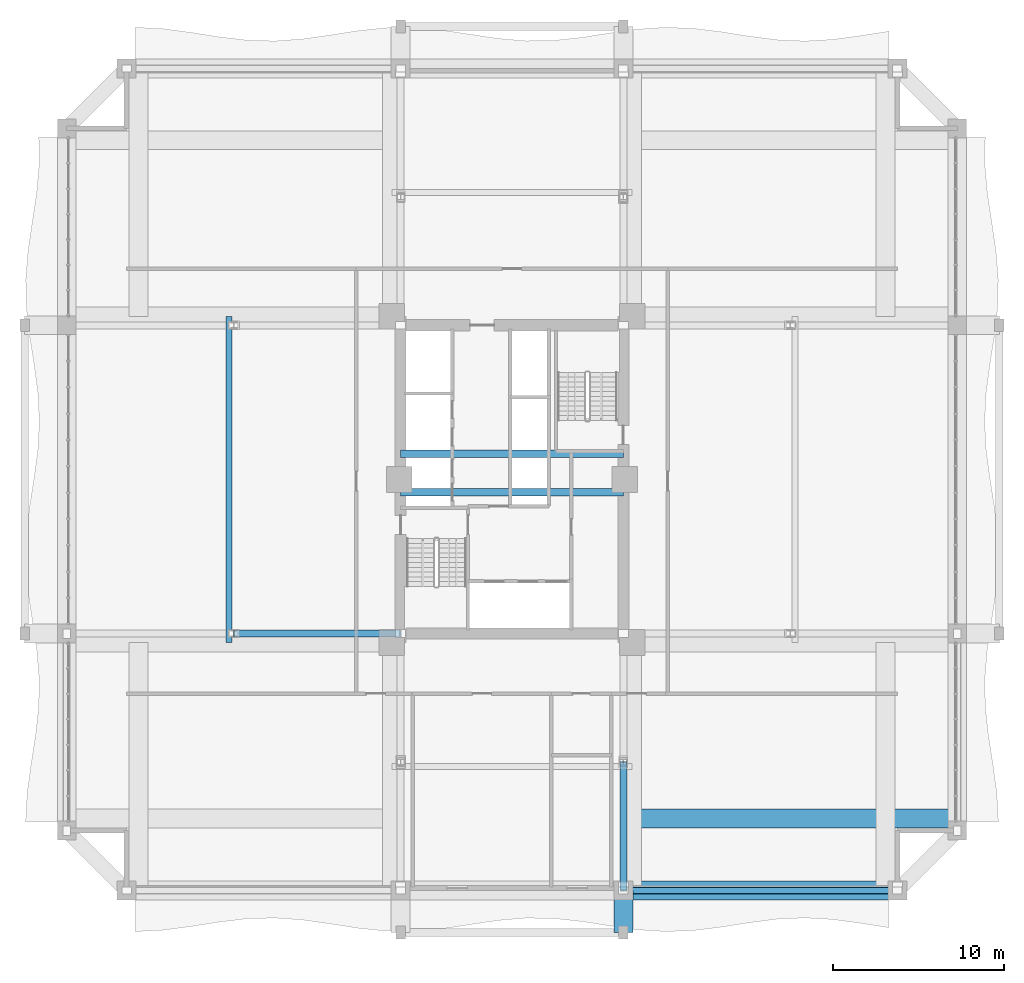
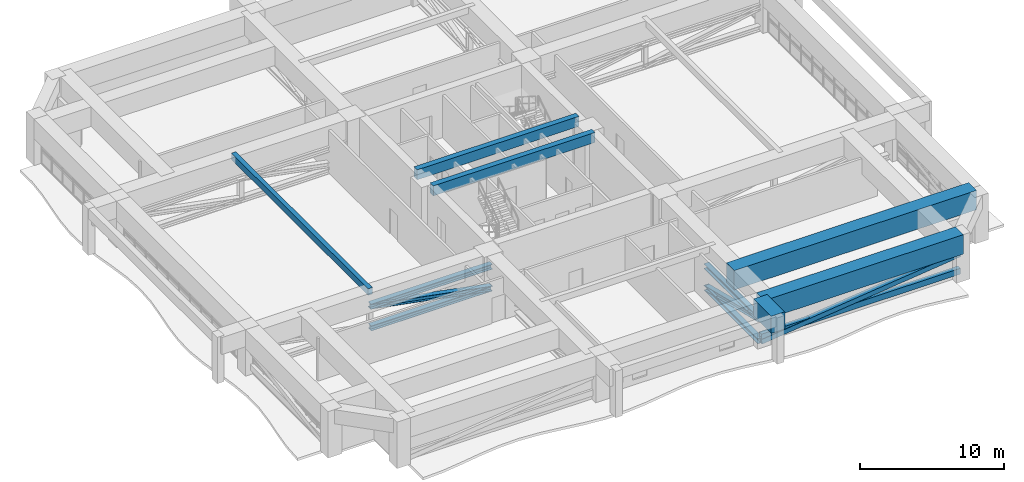
# One storey, part 11 of 35: 8 members, 6 beams.
"""IFC4 building model written with IfcOpenShell, lengths in metres."""

from ifc_helpers import new_model, si_unit, direction, frame, origin, origin_2d, place, context, subcontext, project, spatial, rectangle, hollow_rectangle, i_section, extrude, source, transform, mapped, material, material_profile, profile_set, type_object, element, save


model = new_model("IFC4")

# Units and contexts
model_context = context("Model", 3, precision=1e-05, world=origin(), true_north=direction((0.0, 1.0)))
body_context = subcontext(model_context, "Body", "Model", "MODEL_VIEW")
ifc_project = project(units=[si_unit("LENGTHUNIT", "METRE"), si_unit("AREAUNIT", "SQUARE_METRE"), si_unit("VOLUMEUNIT", "CUBIC_METRE"), si_unit("PLANEANGLEUNIT", "RADIAN"), si_unit("MASSUNIT", "GRAM", prefix="KILO")], contexts=[model_context])

# Site, building, storey
site_placement = place(None, origin())
site = spatial("IfcSite", under=ifc_project, at=site_placement, CompositionType="ELEMENT")
building_placement = place(site_placement, origin())
building = spatial("IfcBuilding", under=site, at=building_placement, Name="Saelheon Loggia Tower", CompositionType="ELEMENT")
storey_placement = place(building_placement, frame((0.0, 0.0, 70.39990234375)))
storey = spatial("IfcBuildingStorey", under=building, at=storey_placement, Name="L22", CompositionType="ELEMENT", Elevation=70.39990234375)

# Beams
ifc_material_1 = material(Name="Concrete C50/60", Category="concrete")
ifc_material_profile_1 = material_profile(ifc_material_1, rectangle(XDim=0.449951171875, YDim=0.85009765625, at=origin_2d()), Name="RC-450x850")
ifc_profile_set_1 = profile_set([ifc_material_profile_1], Name="Concrete C50/60")
beam_type_1 = type_object("IfcBeamType", Name="Beam_CoreLintel_RC450x850", PredefinedType="LINTEL", material=ifc_profile_set_1)
shared_shape_1 = source(origin(), body_context, "Body", "SweptSolid", [
    extrude(rectangle(XDim=0.449951171875, YDim=0.85009765625, at=origin_2d()), origin(), (0.0, 0.0, 1.0), 13.0),
])
for number, where, z_axis, x_axis, name in (
    (1, (31.5, 26.25, 3.525146484375), (1.0, 0.0, 0.0), (0.0, 1.0, 0.0), "L22 Core Coupling Lintel 1"),
    (2, (31.5, 28.5, 3.525146484375), (1.0, 0.0, 0.0), (0.0, 1.0, 0.0), "L22 Core Coupling Lintel 2"),
):
    element("IfcBeam", number, at=place(storey_placement, frame(where, z_axis=z_axis, x_axis=x_axis)), inside=storey, type_object=beam_type_1, Name=name, PredefinedType="LINTEL", context=body_context, shape_type="MappedRepresentation", body=[
        mapped(shared_shape_1, transform((0.0, 0.0, 0.0), scale=1.0)),
    ])
ifc_material_profile_2 = material_profile(ifc_material_1, rectangle(XDim=1.10009765625, YDim=1.449951171875, at=origin_2d()), Name="RC-1100x1450")
ifc_profile_set_2 = profile_set([ifc_material_profile_2], Name="Concrete C50/60")
beam_type_2 = type_object("IfcBeamType", Name="Beam_PerimTransfer_RC1100x1450", PredefinedType="BEAM", material=ifc_profile_set_2)
shared_shape_2 = source(origin(), body_context, "Body", "SweptSolid", [
    extrude(rectangle(XDim=1.10009765625, YDim=1.449951171875, at=origin_2d()), origin(), (0.0, 0.0, 1.0), 2.449951171875),
])
beam_1_placement = place(storey_placement, frame((44.5, 3.0, 3.22509765625), z_axis=(0.0, -1.0, 0.0), x_axis=(1.0, 0.0, 0.0)))
element("IfcBeam", 3, at=beam_1_placement, inside=storey, type_object=beam_type_2, Name="L22 Loggia Frame Tie Beam LP-S2", PredefinedType="BEAM", context=body_context, shape_type="MappedRepresentation", body=[
    mapped(shared_shape_2, transform((0.0, 0.0, 0.0), scale=1.0)),
])
ifc_material_2 = material(Name="Concrete C40/50", Category="concrete")
ifc_material_profile_3 = material_profile(ifc_material_2, rectangle(XDim=0.35009765625, YDim=0.550048828125, at=origin_2d()), Name="RC-350x550")
ifc_profile_set_3 = profile_set([ifc_material_profile_3], Name="Concrete C40/50")
beam_type_3 = type_object("IfcBeamType", Name="Beam_Joist_RC350x550", PredefinedType="JOIST", material=ifc_profile_set_3)
shared_shape_3 = source(origin(), body_context, "Body", "SweptSolid", [
    extrude(rectangle(XDim=0.35009765625, YDim=0.550048828125, at=origin_2d()), origin(), (0.0, 0.0, 1.0), 19.0400390625),
])
beam_2_placement = place(storey_placement, frame((21.489990234375, 17.47998046875, 3.675048828125), z_axis=(0.0, 1.0, 0.0), x_axis=(-1.0, 0.0, 0.0)))
element("IfcBeam", 4, at=beam_2_placement, inside=storey, type_object=beam_type_3, Name="L22 West Floor Joist", PredefinedType="JOIST", context=body_context, shape_type="MappedRepresentation", body=[
    mapped(shared_shape_3, transform((0.0, 0.0, 0.0), scale=1.0)),
])
ifc_material_profile_4 = material_profile(ifc_material_1, rectangle(XDim=1.10009765625, YDim=1.64990234375, at=origin_2d()), Name="RC-1100x1650")
ifc_profile_set_4 = profile_set([ifc_material_profile_4], Name="Concrete C50/60")
beam_type_4 = type_object("IfcBeamType", Name="Beam_PerimMega_RC1100x1650", PredefinedType="BEAM", material=ifc_profile_set_4)
shared_shape_4 = source(origin(), body_context, "Body", "SweptSolid", [
    extrude(rectangle(XDim=1.10009765625, YDim=1.64990234375, at=origin_2d()), origin(), (0.0, 0.0, 1.0), 16.0),
])
beam_3_placement = place(storey_placement, frame((44.5, 3.0, 3.125), z_axis=(1.0, 0.0, 0.0), x_axis=(0.0, 1.0, 0.0)))
element("IfcBeam", 5, at=beam_3_placement, inside=storey, type_object=beam_type_4, Name="L22 Perimeter Frame Girder 03", PredefinedType="BEAM", context=body_context, shape_type="MappedRepresentation", body=[
    mapped(shared_shape_4, transform((0.0, 0.0, 0.0), scale=1.0)),
])
ifc_material_profile_5 = material_profile(ifc_material_1, rectangle(XDim=1.10009765625, YDim=1.64990234375, at=origin_2d()), Name="RC-1100x1650")
ifc_profile_set_5 = profile_set([ifc_material_profile_5], Name="Concrete C50/60")
beam_type_5 = type_object("IfcBeamType", Name="Beam_MegaTransfer_RC1100x1650", PredefinedType="BEAM", material=ifc_profile_set_5)
shared_shape_5 = source(origin(), body_context, "Body", "SweptSolid", [
    extrude(rectangle(XDim=1.10009765625, YDim=1.64990234375, at=origin_2d()), origin(), (0.0, 0.0, 1.0), 19.5),
])
beam_4_placement = place(storey_placement, frame((44.5, 7.199951171875, 3.125), z_axis=(1.0, 0.0, 0.0), x_axis=(0.0, 1.0, 0.0)))
element("IfcBeam", 6, at=beam_4_placement, inside=storey, type_object=beam_type_5, Name="TG-L22-SH-SE", PredefinedType="BEAM", context=body_context, shape_type="MappedRepresentation", body=[
    mapped(shared_shape_5, transform((0.0, 0.0, 0.0), scale=1.0)),
])

# Members
ifc_material_3 = material(Name="Steel SM355", Category="steel")
ifc_material_profile_6 = material_profile(ifc_material_3, i_section(OverallWidth=0.406982421875, OverallDepth=0.427978515625, WebThickness=0.02001953125, FlangeThickness=0.034912109375, at=origin_2d()), Name="H-428x407x20x35")
ifc_profile_set_6 = profile_set([ifc_material_profile_6], Name="Steel SM355")
member_type_1 = type_object("IfcMemberType", Name="Outrigger_Chord_H428", PredefinedType="CHORD", material=ifc_profile_set_6)
shared_shape_6 = source(origin(), body_context, "Body", "SweptSolid", [
    extrude(i_section(OverallWidth=0.406982421875, OverallDepth=0.427978515625, WebThickness=0.02001953125, FlangeThickness=0.034912109375, at=origin_2d()), origin(), (0.0, 0.0, 1.0), 7.5),
])
for number, where, z_axis, x_axis, name in (
    (7, (44.5, 10.5, 0.22021484375), (0.0, -1.0, 0.0), (1.0, 0.0, 0.0), "L22 Outrigger Bottom Chord SE-S 2"),
    (8, (44.5, 10.5, 2.070068359375), (0.0, -1.0, 0.0), (1.0, 0.0, 0.0), "L22 Outrigger Top Chord SE-S 2"),
):
    element("IfcMember", number, at=place(storey_placement, frame(where, z_axis=z_axis, x_axis=x_axis)), inside=storey, type_object=member_type_1, Name=name, PredefinedType="CHORD", context=body_context, shape_type="MappedRepresentation", body=[
        mapped(shared_shape_6, transform((0.0, 0.0, 0.0), scale=1.0)),
    ])
ifc_material_profile_7 = material_profile(ifc_material_3, i_section(OverallWidth=0.39990234375, OverallDepth=0.39990234375, WebThickness=0.012939453125, FlangeThickness=0.02099609375, at=origin_2d()), Name="H-400x400x13x21")
ifc_profile_set_7 = profile_set([ifc_material_profile_7], Name="Steel SM355")
member_type_2 = type_object("IfcMemberType", Name="Outrigger_Brace_H400", PredefinedType="BRACE", material=ifc_profile_set_7)
shared_shape_7 = source(origin(), body_context, "Body", "SweptSolid", [
    extrude(i_section(OverallWidth=0.39990234375, OverallDepth=0.39990234375, WebThickness=0.012939453125, FlangeThickness=0.02099609375, at=origin_2d()), origin(), (0.0, 0.0, 1.0), 7.724853515625),
])
member_1_placement = place(storey_placement, frame((44.5, 10.5, 0.22021484375), z_axis=(0.0, -0.970903617095, 0.239470595922), x_axis=(1.0, 0.0, 0.0)))
element("IfcMember", 9, at=member_1_placement, inside=storey, type_object=member_type_2, Name="L22 Outrigger Diagonal SE-S 2", PredefinedType="BRACE", context=body_context, shape_type="MappedRepresentation", body=[
    mapped(shared_shape_7, transform((0.0, 0.0, 0.0), scale=1.0)),
])
shared_shape_8 = source(origin(), body_context, "Body", "SweptSolid", [
    extrude(i_section(OverallWidth=0.406982421875, OverallDepth=0.427978515625, WebThickness=0.02001953125, FlangeThickness=0.034912109375, at=origin_2d()), origin(), (0.0, 0.0, 1.0), 9.75),
])
for number, where, z_axis, x_axis, name in (
    (10, (31.5, 18.0, 0.22021484375), (-1.0, 0.0, 0.0), (0.0, -1.0, 0.0), "L22 Outrigger Bottom Chord SW-W 1"),
    (11, (31.5, 18.0, 2.070068359375), (-1.0, 0.0, 0.0), (0.0, -1.0, 0.0), "L22 Outrigger Top Chord SW-W 1"),
):
    element("IfcMember", number, at=place(storey_placement, frame(where, z_axis=z_axis, x_axis=x_axis)), inside=storey, type_object=member_type_1, Name=name, PredefinedType="CHORD", context=body_context, shape_type="MappedRepresentation", body=[
        mapped(shared_shape_8, transform((0.0, 0.0, 0.0), scale=1.0)),
    ])
shared_shape_9 = source(origin(), body_context, "Body", "SweptSolid", [
    extrude(i_section(OverallWidth=0.39990234375, OverallDepth=0.39990234375, WebThickness=0.012939453125, FlangeThickness=0.02099609375, at=origin_2d()), origin(), (0.0, 0.0, 1.0), 9.923828125),
])
member_2_placement = place(storey_placement, frame((31.5, 18.0, 0.22021484375), z_axis=(-0.9824733212, 0.0, 0.186403254075), x_axis=(0.0, -1.0, 0.0)))
element("IfcMember", 12, at=member_2_placement, inside=storey, type_object=member_type_2, Name="L22 Outrigger Diagonal SW-W 1", PredefinedType="BRACE", context=body_context, shape_type="MappedRepresentation", body=[
    mapped(shared_shape_9, transform((0.0, 0.0, 0.0), scale=1.0)),
])
ifc_material_profile_8 = material_profile(ifc_material_3, hollow_rectangle(XDim=0.35009765625, YDim=0.5, WallThickness=0.02197265625, at=origin_2d()), Name="RHS-500x350x22")
ifc_profile_set_8 = profile_set([ifc_material_profile_8], Name="Steel SM355")
member_type_3 = type_object("IfcMemberType", Name="Belt_Chord_RHS500", PredefinedType="CHORD", material=ifc_profile_set_8)
shared_shape_10 = source(origin(), body_context, "Body", "SweptSolid", [
    extrude(hollow_rectangle(XDim=0.35009765625, YDim=0.5, WallThickness=0.02197265625, at=origin_2d()), origin(), (0.0, 0.0, 1.0), 16.0),
])
member_3_placement = place(storey_placement, frame((44.5, 3.0, 0.6201171875), z_axis=(1.0, 0.0, 0.0), x_axis=(0.0, 1.0, 0.0)))
element("IfcMember", 13, at=member_3_placement, inside=storey, type_object=member_type_3, Name="L22 Belt Truss Chord BS2", PredefinedType="CHORD", context=body_context, shape_type="MappedRepresentation", body=[
    mapped(shared_shape_10, transform((0.0, 0.0, 0.0), scale=1.0)),
])
ifc_material_profile_9 = material_profile(ifc_material_3, hollow_rectangle(XDim=0.39990234375, YDim=0.39990234375, WallThickness=0.02001953125, at=origin_2d()), Name="RHS-400x400x20")
ifc_profile_set_9 = profile_set([ifc_material_profile_9], Name="Steel SM355")
member_type_4 = type_object("IfcMemberType", Name="Belt_Brace_RHS400", PredefinedType="BRACE", material=ifc_profile_set_9)
shared_shape_11 = source(origin(), body_context, "Body", "SweptSolid", [
    extrude(hollow_rectangle(XDim=0.39990234375, YDim=0.39990234375, WallThickness=0.02001953125, at=origin_2d()), origin(), (0.0, 0.0, 1.0), 16.106689453125),
])
member_4_placement = place(storey_placement, frame((44.5, 3.0, 0.22021484375), z_axis=(0.993382754474, 0.0, 0.114850786295), x_axis=(0.0, 1.0, 0.0)))
element("IfcMember", 14, at=member_4_placement, inside=storey, type_object=member_type_4, Name="L22 Belt Truss Brace BS2", PredefinedType="BRACE", context=body_context, shape_type="MappedRepresentation", body=[
    mapped(shared_shape_11, transform((0.0, 0.0, 0.0), scale=1.0)),
])

save(model, "model.ifc")
